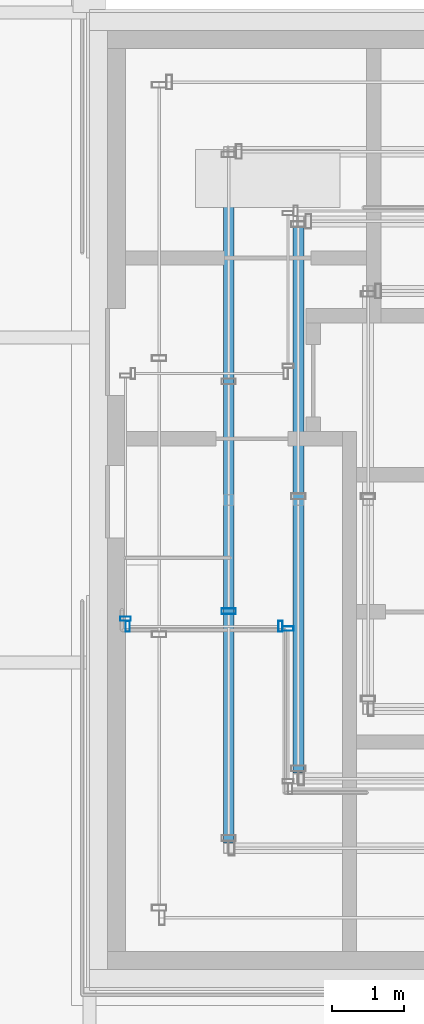
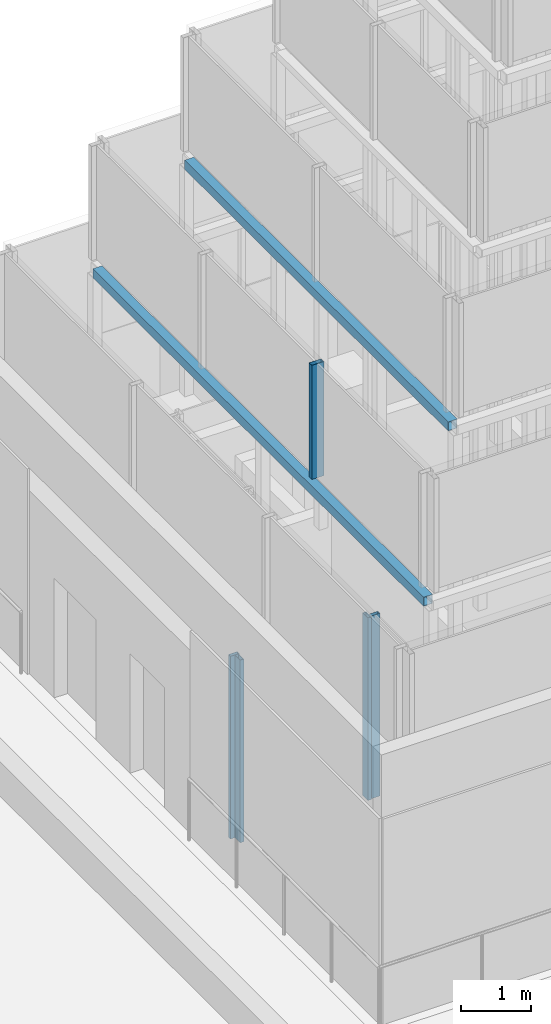
# One storey, part 32 of 62: 5 members, 2 beams, 4 elements without a shape of their own.
"""IFC4 building model written with IfcOpenShell, lengths in metres."""

from ifc_helpers import new_model, si_unit, direction, frame, origin, origin_2d, place, context, subcontext, project, spatial, hollow_rectangle, extrude, material, material_profile, profile_set, type_object, element, aggregate, save


model = new_model("IFC4")

# Units and contexts
model_context = context("Model", 3, precision=1e-05, world=origin(), true_north=direction((0.0, 1.0)))
body_context = subcontext(model_context, "Body", "Model", "MODEL_VIEW")
ifc_project = project(units=[si_unit("LENGTHUNIT", "METRE"), si_unit("AREAUNIT", "SQUARE_METRE"), si_unit("VOLUMEUNIT", "CUBIC_METRE"), si_unit("PLANEANGLEUNIT", "RADIAN"), si_unit("MASSUNIT", "GRAM", prefix="KILO")], contexts=[model_context])

# Site, building, storey
site_placement = place(None, origin())
site = spatial("IfcSite", under=ifc_project, at=site_placement, CompositionType="ELEMENT")
building_placement = place(site_placement, origin())
building = spatial("IfcBuilding", under=site, at=building_placement, Name="Altepetl Exchange Towers", CompositionType="ELEMENT")
storey_placement = place(building_placement, frame((0.0, 0.0, 210.0)))
storey = spatial("IfcBuildingStorey", under=building, at=storey_placement, Name="L53", CompositionType="ELEMENT", Elevation=210.0)

# Beams
ifc_material_1 = material(Name="Steel S355", Category="steel")
ifc_material_profile_1 = material_profile(ifc_material_1, hollow_rectangle(XDim=0.14990234375, YDim=0.159912109375, WallThickness=0.008056640625, at=origin_2d()), Name="RHS 160x150x8")
ifc_profile_set_1 = profile_set([ifc_material_profile_1], Name="Steel S355")
beam_type = type_object("IfcBeamType", Name="Crown ring beam hollow section 150x160x8", PredefinedType="BEAM", material=ifc_profile_set_1)
beam_1_placement = place(storey_placement, frame((105.428466796875, 47.496337890625, 5.52001953125), z_axis=(0.0, -1.0, 0.0), x_axis=(1.0, 0.0, 0.0)))
element("IfcBeam", 1, at=beam_1_placement, inside=storey, type_object=beam_type, Name="Crown ring beam", PredefinedType="BEAM", context=body_context, shape_type="SweptSolid", body=[
    extrude(hollow_rectangle(XDim=0.14990234375, YDim=0.159912109375, WallThickness=0.008056640625, at=origin_2d()), origin(), (0.0, 0.0, 1.0), 9.49267578125),
])
beam_2_placement = place(storey_placement, frame((106.392822265625, 46.5322265625, 7.669921875), z_axis=(0.0, -1.0, 0.0), x_axis=(1.0, 0.0, 0.0)))
element("IfcBeam", 2, at=beam_2_placement, inside=storey, type_object=beam_type, Name="Crown ring beam", PredefinedType="BEAM", context=body_context, shape_type="SweptSolid", body=[
    extrude(hollow_rectangle(XDim=0.14990234375, YDim=0.159912109375, WallThickness=0.008056640625, at=origin_2d()), origin(), (0.0, 0.0, 1.0), 7.564453125),
])

# Curtain wall, member
ifc_material_2 = material(Name="Aluminium 6063-T6 glazing", Category="aluminium")
curtain_wall_type_1 = type_object("IfcCurtainWallType", Name="Loggia glazing system", PredefinedType="NOTDEFINED", material=ifc_material_2)
curtain_wall_1_placement = place(storey_placement, origin())
curtain_wall_1 = element("IfcCurtainWall", 3, at=curtain_wall_1_placement, inside=storey, type_object=curtain_wall_type_1, Name="CW1 run", PredefinedType="NOTDEFINED")
ifc_material_3 = material(Name="Aluminium 6063-T6", Category="aluminium")
ifc_material_profile_2 = material_profile(ifc_material_3, hollow_rectangle(XDim=0.06005859375, YDim=0.14990234375, WallThickness=0.0029296875, at=origin_2d()), Name="Mullion 60x150 aluminium")
ifc_profile_set_2 = profile_set([ifc_material_profile_2], Name="Aluminium 6063-T6")
member_type_1 = type_object("IfcMemberType", Name="Mullion 60x150 aluminium", PredefinedType="MULLION", material=ifc_profile_set_2)
member_1_placement = place(storey_placement, frame((104.0, 41.10498046875, 0.0), z_axis=(0.0, 0.0, 1.0), x_axis=(0.0, -1.0, 0.0)))
member_1 = element("IfcMember", 4, at=member_1_placement, type_object=member_type_1, Name="MU1 mullion", PredefinedType="MULLION", context=body_context, shape_type="SweptSolid", body=[
    extrude(hollow_rectangle(XDim=0.06005859375, YDim=0.14990234375, WallThickness=0.0029296875, at=origin_2d()), origin(), (0.0, 0.0, 1.0), 3.199951171875),
])
aggregate(curtain_wall_1, [member_1])

# Curtain wall, members
curtain_wall_2_placement = place(storey_placement, origin())
curtain_wall_2 = element("IfcCurtainWall", 5, at=curtain_wall_2_placement, inside=storey, type_object=curtain_wall_type_1, Name="CW1 run", PredefinedType="NOTDEFINED")
member_2_placement = place(storey_placement, frame((104.030029296875, 41.0, 0.0)))
member_2 = element("IfcMember", 6, at=member_2_placement, type_object=member_type_1, Name="MU1 mullion", PredefinedType="MULLION", context=body_context, shape_type="SweptSolid", body=[
    extrude(hollow_rectangle(XDim=0.06005859375, YDim=0.14990234375, WallThickness=0.0029296875, at=origin_2d()), origin(), (0.0, 0.0, 1.0), 3.199951171875),
])
member_3_placement = place(storey_placement, frame((106.14501953125, 41.0, 0.0)))
member_3 = element("IfcMember", 7, at=member_3_placement, type_object=member_type_1, Name="MU1 mullion", PredefinedType="MULLION", context=body_context, shape_type="SweptSolid", body=[
    extrude(hollow_rectangle(XDim=0.06005859375, YDim=0.14990234375, WallThickness=0.0029296875, at=origin_2d()), origin(), (0.0, 0.0, 1.0), 3.199951171875),
])
aggregate(curtain_wall_2, [member_2, member_3])

# Curtain wall, member
curtain_wall_3_placement = place(storey_placement, origin())
curtain_wall_3 = element("IfcCurtainWall", 8, at=curtain_wall_3_placement, inside=storey, type_object=curtain_wall_type_1, Name="CW1 run", PredefinedType="NOTDEFINED")
member_4_placement = place(storey_placement, frame((106.25, 40.969970703125, 0.0), z_axis=(0.0, 0.0, 1.0), x_axis=(0.0, -1.0, 0.0)))
member_4 = element("IfcMember", 9, at=member_4_placement, type_object=member_type_1, Name="MU1 mullion", PredefinedType="MULLION", context=body_context, shape_type="SweptSolid", body=[
    extrude(hollow_rectangle(XDim=0.06005859375, YDim=0.14990234375, WallThickness=0.0029296875, at=origin_2d()), origin(), (0.0, 0.0, 1.0), 3.199951171875),
])
aggregate(curtain_wall_3, [member_4])

curtain_wall_type_2 = type_object("IfcCurtainWallType", Name="Crown glazing system", PredefinedType="NOTDEFINED", material=ifc_material_2)
curtain_wall_4_placement = place(storey_placement, origin())
curtain_wall_4 = element("IfcCurtainWall", 10, at=curtain_wall_4_placement, inside=storey, type_object=curtain_wall_type_2, Name="CW7 run", PredefinedType="NOTDEFINED")
ifc_material_profile_3 = material_profile(ifc_material_3, hollow_rectangle(XDim=0.080078125, YDim=0.199951171875, WallThickness=0.0029296875, at=origin_2d()), Name="Mullion 80x200 hollow aluminium")
ifc_profile_set_3 = profile_set([ifc_material_profile_3], Name="Aluminium 6063-T6")
member_type_2 = type_object("IfcMemberType", Name="Mullion 80x200 hollow aluminium", PredefinedType="MULLION", material=ifc_profile_set_3)
member_5_placement = place(storey_placement, frame((105.428466796875, 41.20947265625, 5.75), z_axis=(0.0, 0.0, 1.0), x_axis=(0.0, -1.0, 0.0)))
member_5 = element("IfcMember", 11, at=member_5_placement, type_object=member_type_2, Name="MU5 mullion", PredefinedType="MULLION", context=body_context, shape_type="SweptSolid", body=[
    extrude(hollow_rectangle(XDim=0.080078125, YDim=0.199951171875, WallThickness=0.0029296875, at=origin_2d()), origin(), (0.0, 0.0, 1.0), 2.0),
])
aggregate(curtain_wall_4, [member_5])

save(model, "model.ifc")
